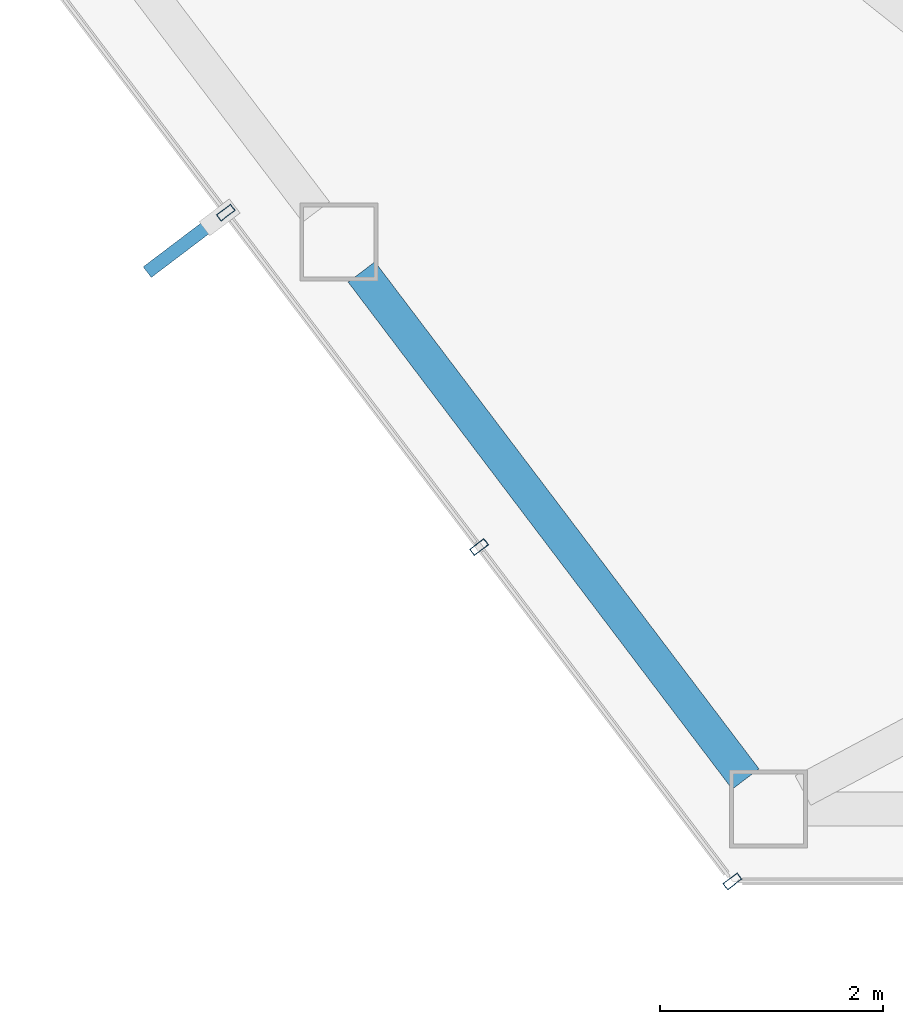
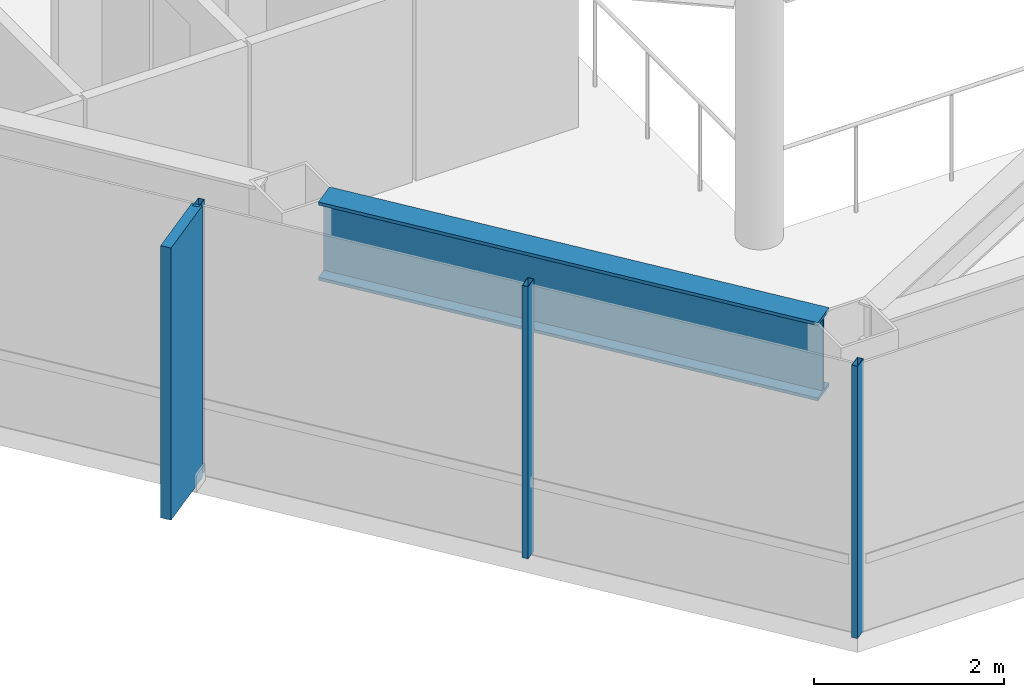
# One storey, part 2 of 27: 4 members, 1 beam, 1 element without a shape of its own.
"""IFC4 building model written with IfcOpenShell, lengths in metres."""

from ifc_helpers import new_model, si_unit, direction, frame, origin, origin_2d, place, context, subcontext, project, spatial, rectangle, hollow_rectangle, i_section, extrude, material, layer, layer_set, material_profile, profile_set, type_object, element, aggregate, save


model = new_model("IFC4")

# Units and contexts
model_context = context("Model", 3, precision=1e-05, world=origin(), true_north=direction((0.0, 1.0)))
body_context = subcontext(model_context, "Body", "Model", "MODEL_VIEW")
ifc_project = project(units=[si_unit("LENGTHUNIT", "METRE"), si_unit("AREAUNIT", "SQUARE_METRE"), si_unit("VOLUMEUNIT", "CUBIC_METRE"), si_unit("PLANEANGLEUNIT", "RADIAN"), si_unit("MASSUNIT", "GRAM", prefix="KILO")], contexts=[model_context])

# Site, building, storey
site_placement = place(None, origin())
site = spatial("IfcSite", under=ifc_project, at=site_placement, CompositionType="ELEMENT")
building_placement = place(site_placement, origin())
building = spatial("IfcBuilding", under=site, at=building_placement, Name="Zarrinselat Tower", CompositionType="ELEMENT")
storey_placement = place(building_placement, frame((0.0, 0.0, 175.780029296875)))
storey = spatial("IfcBuildingStorey", under=building, at=storey_placement, Name="L43", CompositionType="ELEMENT", Elevation=175.780029296875)

# Beam
ifc_material_1 = material(Name="Steel S460M", Category="steel")
ifc_material_profile_1 = material_profile(ifc_material_1, i_section(OverallWidth=0.302001953125, OverallDepth=1.008056640625, WebThickness=0.02099609375, FlangeThickness=0.0400390625, at=origin_2d()), Name="HEM 1000")
ifc_profile_set_1 = profile_set([ifc_material_profile_1], Name="Steel S460M")
beam_type = type_object("IfcBeamType", Name="BM-HEM1000", PredefinedType="BEAM", material=ifc_profile_set_1)
beam_placement = place(storey_placement, frame((27.71142578125, 23.027587890625, 2.995849609375), z_axis=(0.603829707697, -0.797113344577, 0.0), x_axis=(0.797113344577, 0.603829707697, 0.0)))
element("IfcBeam", 1, at=beam_placement, inside=storey, type_object=beam_type, Name="L43 Perimeter Spandrel Girder SP09", PredefinedType="BEAM", context=body_context, shape_type="SweptSolid", body=[
    extrude(i_section(OverallWidth=0.302001953125, OverallDepth=1.008056640625, WebThickness=0.02099609375, FlangeThickness=0.0400390625, at=origin_2d()), origin(), (0.0, 0.0, 1.0), 5.7119140625),
])

# Curtain wall, members
ifc_material_2 = material(Name="Extruded Aluminium Alloy EN AW-6063 T6", Category="aluminium")
ifc_layer = layer(ifc_material_2, 0.175048828125)
ifc_layer_set = layer_set([ifc_layer], Name="Extruded Aluminium Alloy EN AW-6063 T6")
curtain_wall_type = type_object("IfcCurtainWallType", Name="CWS-HTL", PredefinedType="NOTDEFINED", material=ifc_layer_set)
curtain_wall_placement = place(storey_placement, origin())
curtain_wall = element("IfcCurtainWall", 2, at=curtain_wall_placement, inside=storey, type_object=curtain_wall_type, Name="L43 Unitised Curtain Wall CW-L43-E03", PredefinedType="NOTDEFINED")
ifc_material_3 = material(Name="Extruded Aluminium Alloy EN AW-6063 T6", Category="aluminium")
ifc_material_profile_2 = material_profile(ifc_material_3, hollow_rectangle(XDim=0.070068359375, YDim=0.159912109375, WallThickness=0.00390625, at=origin_2d()), Name="RHS 160x70x4")
ifc_profile_set_2 = profile_set([ifc_material_profile_2], Name="Extruded Aluminium Alloy EN AW-6063 T6")
member_type_1 = type_object("IfcMemberType", Name="MEM-CW-MUL2", PredefinedType="MULLION", material=ifc_profile_set_2)
member_1_placement = place(storey_placement, frame((26.49267578125, 23.56005859375, 0.0), z_axis=(0.0, 0.0, 1.0), x_axis=(0.603857322892, -0.797092424748, 0.0)))
member_1 = element("IfcMember", 3, at=member_1_placement, type_object=member_type_1, Name="CW-L43-E03 Mullion 5", PredefinedType="MULLION", context=body_context, shape_type="SweptSolid", body=[
    extrude(hollow_rectangle(XDim=0.070068359375, YDim=0.159912109375, WallThickness=0.00390625, at=origin_2d()), origin(), (0.0, 0.0, 1.0), 3.5),
])
member_2_placement = place(storey_placement, frame((28.76708984375, 20.5576171875, 0.0), z_axis=(0.0, 0.0, 1.0), x_axis=(0.603857322892, -0.797092424748, 0.0)))
member_2 = element("IfcMember", 4, at=member_2_placement, type_object=member_type_1, Name="CW-L43-E03 Mullion 6", PredefinedType="MULLION", context=body_context, shape_type="SweptSolid", body=[
    extrude(hollow_rectangle(XDim=0.070068359375, YDim=0.159912109375, WallThickness=0.00390625, at=origin_2d()), origin(), (0.0, 0.0, 1.0), 3.5),
])
member_3_placement = place(storey_placement, frame((31.04150390625, 17.555419921875, 0.0), z_axis=(0.0, 0.0, 1.0), x_axis=(0.603857322892, -0.797092424748, 0.0)))
member_3 = element("IfcMember", 5, at=member_3_placement, type_object=member_type_1, Name="CW-L43-E03 Mullion 7", PredefinedType="MULLION", context=body_context, shape_type="SweptSolid", body=[
    extrude(hollow_rectangle(XDim=0.070068359375, YDim=0.159912109375, WallThickness=0.00390625, at=origin_2d()), origin(), (0.0, 0.0, 1.0), 3.5),
])
ifc_material_4 = material(Name="Honed Cream Travertine Stone", Category="masonry")
ifc_material_profile_3 = material_profile(ifc_material_4, rectangle(XDim=0.1201171875, YDim=0.85009765625, at=origin_2d()), Name="FIN 850x120")
ifc_profile_set_3 = profile_set([ifc_material_profile_3], Name="Honed Cream Travertine Stone")
member_type_2 = type_object("IfcMemberType", Name="MEM-STONE-FIN", PredefinedType="USERDEFINED", material=ifc_profile_set_3)
member_4_placement = place(storey_placement, frame((26.1259765625, 23.2822265625, 0.0), z_axis=(0.0, 0.0, 1.0), x_axis=(-0.603857322892, 0.797092424748, 0.0)))
member_4 = element("IfcMember", 6, at=member_4_placement, type_object=member_type_2, Name="L43 Stone Shading Fin CW-L43-E03-05", ObjectType="FIN", PredefinedType="USERDEFINED", context=body_context, shape_type="SweptSolid", body=[
    extrude(rectangle(XDim=0.1201171875, YDim=0.85009765625, at=origin_2d()), origin(), (0.0, 0.0, 1.0), 3.5),
])
aggregate(curtain_wall, [member_1, member_4, member_2, member_3])

save(model, "model.ifc")
